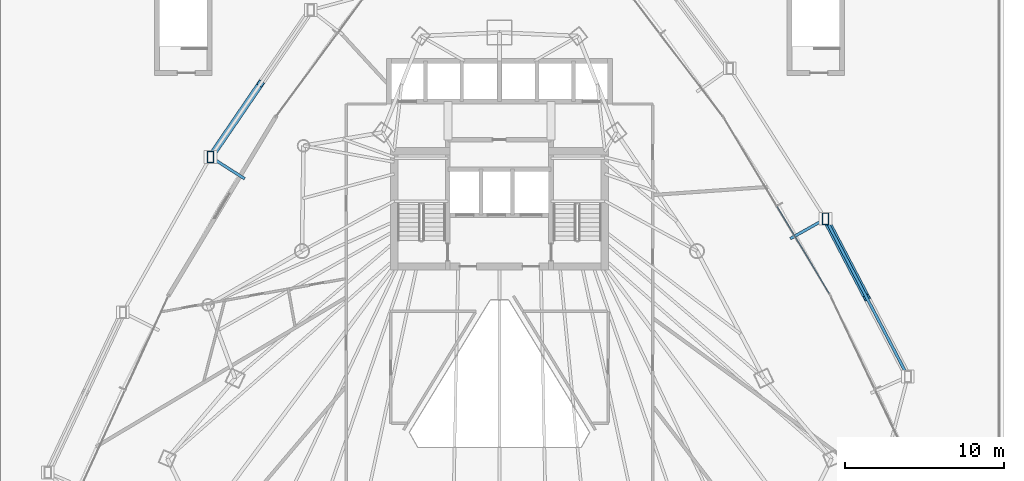
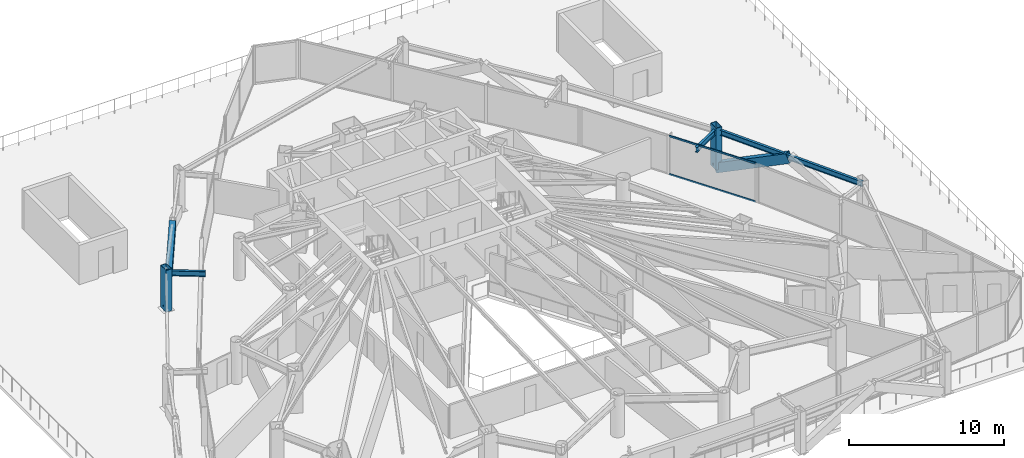
# One storey, part 20 of 36: 6 members, 3 beams, 1 element without a shape of its own.
"""IFC4 building model written with IfcOpenShell, lengths in metres."""

import ifcopenshell
import ifcopenshell.guid

model = None  # the IFC model being written
_history = None  # IfcOwnerHistory: only IFC2X3 demands one
_inside = {}  # id of a spatial element -> (the spatial element, [elements in it])
_under = {}  # id of a project, library or spatial element -> (it, [spatial elements below it])
_declared = {}  # id of a project -> (the project, [libraries it declares])
_typed = {}  # id of a type object -> (the type object, [elements of that type])
_made_of = {}  # id of a material, layer set ... -> (it, [elements and type objects made of it])


def new_model(schema):
    """Start an empty IFC model of exactly this schema.

    Asked for "IFC4X3", IfcOpenShell would pick the latest addendum, in which some entities
    have other attributes; the version numbers below select the first issue.
    IFC2X3 requires an IfcOwnerHistory on every rooted entity: one is made here for all.
    """
    global model, _history
    if schema == "IFC4X3":
        model = ifcopenshell.file(schema_version=(4, 3, 0, 0))
    else:
        model = ifcopenshell.file(schema=schema)
    _inside.clear()
    _under.clear()
    _declared.clear()
    _typed.clear()
    _made_of.clear()
    _history = None
    if model.schema == "IFC2X3":
        org = make("IfcOrganization", Name="unknown")
        user = make(
            "IfcPersonAndOrganization",
            ThePerson=make("IfcPerson", FamilyName="unknown"),
            TheOrganization=org,
        )
        app = make(
            "IfcApplication",
            ApplicationDeveloper=org,
            Version="unknown",
            ApplicationFullName="unknown",
            ApplicationIdentifier="unknown",
        )
        _history = make(
            "IfcOwnerHistory",
            OwningUser=user,
            OwningApplication=app,
            ChangeAction="ADDED",
            CreationDate=0,
        )
    return model


def make(cls, **values):
    """One entity of the class cls with the attributes given. An attribute that is None is left unset."""
    return model.create_entity(
        cls, **{name: value for name, value in values.items() if value is not None}
    )


def rooted(cls, **values):
    """An entity with a GlobalId (a new one), such as an element, a storey or a relation."""
    return make(cls, GlobalId=ifcopenshell.guid.new(), OwnerHistory=_history, **values)


def si_unit(unit_type, name, prefix=None):
    """IfcSIUnit, for example si_unit("LENGTHUNIT", "METRE", prefix="MILLI")."""
    return make("IfcSIUnit", UnitType=unit_type, Prefix=prefix, Name=name)


def assignment(units):
    """IfcUnitAssignment: the units of a project."""
    return None if units is None else make("IfcUnitAssignment", Units=units)


def point(xyz):
    """IfcCartesianPoint."""
    return None if xyz is None else make("IfcCartesianPoint", Coordinates=xyz)


def direction(xyz):
    """IfcDirection."""
    return None if xyz is None else make("IfcDirection", DirectionRatios=xyz)


def frame(location, z_axis=None, x_axis=None):
    """IfcAxis2Placement3D, a coordinate frame: its origin and axes. An axis left out is left unset."""
    return make(
        "IfcAxis2Placement3D",
        Location=point(location),
        Axis=direction(z_axis),
        RefDirection=direction(x_axis),
    )


def frame_2d(location, x_axis=None):
    """IfcAxis2Placement2D, a coordinate frame in the plane: its origin and x axis."""
    return make(
        "IfcAxis2Placement2D", Location=point(location), RefDirection=direction(x_axis)
    )


def origin():
    """The frame at (0, 0, 0) with its axes left unset."""
    return frame((0.0, 0.0, 0.0))


def origin_2d():
    """The frame at (0, 0) in the plane with its x axis left unset."""
    return frame_2d((0.0, 0.0))


def place(relative_to, where):
    """IfcLocalPlacement: puts the frame where relative to a parent placement (None: the world)."""
    return make(
        "IfcLocalPlacement", PlacementRelTo=relative_to, RelativePlacement=where
    )


def context(
    kind, dimensions, precision=None, world=None, true_north=None, identifier=None
):
    """IfcGeometricRepresentationContext, for example the 3D "Model" context."""
    return make(
        "IfcGeometricRepresentationContext",
        ContextIdentifier=identifier,
        ContextType=kind,
        CoordinateSpaceDimension=dimensions,
        Precision=precision,
        WorldCoordinateSystem=world,
        TrueNorth=true_north,
    )


def subcontext(parent, identifier, kind, view, scale=None):
    """IfcGeometricRepresentationSubContext, for example "Body" below "Model"."""
    return make(
        "IfcGeometricRepresentationSubContext",
        ContextIdentifier=identifier,
        ContextType=kind,
        ParentContext=parent,
        TargetScale=scale,
        TargetView=view,
    )


def project(units=None, contexts=None):
    """IfcProject with its units and contexts."""
    return rooted(
        "IfcProject",
        Name="project",
        RepresentationContexts=contexts,
        UnitsInContext=assignment(units),
    )


def spatial(cls, under=None, at=None, **own):
    """A site, building, storey or space (cls), placed at a placement, below another one or the project."""
    s = rooted(cls, ObjectPlacement=at, **own)
    if under is not None:
        _under.setdefault(under.id(), (under, []))[1].append(s)
    return s


def profile(cls, at=None, kind="AREA", **sizes):
    """A parametric profile (cls). Its sizes go by their IFC names, for example OverallWidth=200.0."""
    return make(cls, ProfileType=kind, Position=at, **sizes)


def hollow_rectangle(**sizes):
    """IfcRectangleHollowProfileDef."""
    return profile("IfcRectangleHollowProfileDef", **sizes)


def i_section(**sizes):
    """IfcIShapeProfileDef."""
    return profile("IfcIShapeProfileDef", **sizes)


def extrude(swept, where, along, depth):
    """IfcExtrudedAreaSolid: the profile swept, set in the frame where, extruded along a direction by depth."""
    return make(
        "IfcExtrudedAreaSolid",
        SweptArea=swept,
        Position=where,
        ExtrudedDirection=direction(along),
        Depth=depth,
    )


def shape(context_of_items, identifier, shape_type, items):
    """IfcShapeRepresentation: the items that make up one representation, for example the "Body"."""
    return make(
        "IfcShapeRepresentation",
        ContextOfItems=context_of_items,
        RepresentationIdentifier=identifier,
        RepresentationType=shape_type,
        Items=items,
    )


def material(Name=None, Category=None):
    """IfcMaterial."""
    return make("IfcMaterial", Name=Name, Category=Category)


def layer(
    of_material, thickness, ventilated=None, Name=None, Category=None, Priority=None
):
    """IfcMaterialLayer: one layer of a wall or slab, of a material (None: an air gap)."""
    return make(
        "IfcMaterialLayer",
        Material=of_material,
        LayerThickness=thickness,
        IsVentilated=ventilated,
        Name=Name,
        Category=Category,
        Priority=Priority,
    )


def layer_set(layers, Name=None):
    """IfcMaterialLayerSet."""
    return make("IfcMaterialLayerSet", MaterialLayers=layers, LayerSetName=Name)


def material_profile(
    of_material, cross_section, Name=None, Category=None, Priority=None
):
    """IfcMaterialProfile: a cross section and its material."""
    return make(
        "IfcMaterialProfile",
        Name=Name,
        Material=of_material,
        Profile=cross_section,
        Priority=Priority,
        Category=Category,
    )


def profile_set(profiles, Name=None, composite=None):
    """IfcMaterialProfileSet."""
    return make(
        "IfcMaterialProfileSet",
        Name=Name,
        MaterialProfiles=profiles,
        CompositeProfile=composite,
    )


def made_of(thing, what):
    """Note that an element or type object is made of a material, layer set ...; save() writes the relation."""
    if what is not None:
        _made_of.setdefault(what.id(), (what, []))[1].append(thing)
    return thing


def type_object(cls, material=None, **own):
    """A type object (cls), such as IfcWallType, which elements share."""
    return made_of(rooted(cls, **own), material)


def element(
    cls,
    number,
    at=None,
    inside=None,
    cuts=None,
    type_object=None,
    material=None,
    context=None,
    identifier="Body",
    shape_type=None,
    held_by="IfcProductDefinitionShape",
    body=None,
    shapes=None,
    **own,
):
    """One element of the class cls, such as IfcWall. Its Tag is "e" and its number.

    at: its placement. inside: the storey or other place that contains it. cuts: it is an
    opening in that element (IfcRelVoidsElement). A single representation is given by context,
    identifier, shape_type and body (its items); several are given by shapes. held_by: the class
    of the entity that holds the representations. save() writes the other relations.
    """
    e = rooted(cls, Tag="e%d" % number, ObjectPlacement=at, **own)
    if body is not None:
        shapes = [shape(context, identifier, shape_type, body)]
    if shapes is not None:
        e.Representation = make(held_by, Representations=shapes)
    if inside is not None:
        _inside.setdefault(inside.id(), (inside, []))[1].append(e)
    if cuts is not None:
        rooted(
            "IfcRelVoidsElement", RelatingBuildingElement=cuts, RelatedOpeningElement=e
        )
    if type_object is not None:
        _typed.setdefault(type_object.id(), (type_object, []))[1].append(e)
    return made_of(e, material)


def aggregate(whole, parts):
    """IfcRelAggregates: a whole, such as a stair, and the parts it consists of."""
    return rooted("IfcRelAggregates", RelatingObject=whole, RelatedObjects=parts)


def save(model, path):
    """Write the relations noted so far, then the file.

    IfcRelAggregates (storeys below a building ...), IfcRelContainedInSpatialStructure (elements
    in a storey), IfcRelDefinesByType, IfcRelAssociatesMaterial and IfcRelDeclares: one each for
    every whole, place, type object, material and project.
    """
    for whole, parts in _under.values():
        aggregate(whole, parts)
    for where, things in _inside.values():
        rooted(
            "IfcRelContainedInSpatialStructure",
            RelatedElements=things,
            RelatingStructure=where,
        )
    for kind, things in _typed.values():
        rooted("IfcRelDefinesByType", RelatedObjects=things, RelatingType=kind)
    for what, things in _made_of.values():
        rooted("IfcRelAssociatesMaterial", RelatedObjects=things, RelatingMaterial=what)
    for by, libraries in _declared.values():
        rooted("IfcRelDeclares", RelatingContext=by, RelatedDefinitions=libraries)
    model.write(path)


model = new_model("IFC4")

# Units and contexts
model_context = context("Model", 3, precision=1e-05, world=origin(), true_north=direction((0.0, 1.0)))
body_context = subcontext(model_context, "Body", "Model", "MODEL_VIEW")
ifc_project = project(units=[si_unit("LENGTHUNIT", "METRE"), si_unit("AREAUNIT", "SQUARE_METRE"), si_unit("VOLUMEUNIT", "CUBIC_METRE"), si_unit("PLANEANGLEUNIT", "RADIAN"), si_unit("MASSUNIT", "GRAM", prefix="KILO")], contexts=[model_context])

# Site, building, storey
site_placement = place(None, origin())
site = spatial("IfcSite", under=ifc_project, at=site_placement, CompositionType="ELEMENT")
building_placement = place(site_placement, origin())
building = spatial("IfcBuilding", under=site, at=building_placement, Name="Orvanel Arch Residences", CompositionType="ELEMENT")
storey_placement = place(building_placement, frame((0.0, 0.0, 23.60009765625)))
storey = spatial("IfcBuildingStorey", under=building, at=storey_placement, Name="L05", CompositionType="ELEMENT", Elevation=23.60009765625)

# Members
ifc_material_1 = material(Name="Structural steel AS/NZS 3678 Grade 350", Category="steel")
ifc_material_profile_1 = material_profile(ifc_material_1, hollow_rectangle(XDim=0.419921875, YDim=0.719970703125, WallThickness=0.02490234375, at=origin_2d()), Name="RHS720x420x25")
ifc_profile_set_1 = profile_set([ifc_material_profile_1], Name="Structural steel AS/NZS 3678 Grade 350")
member_type_1 = type_object("IfcMemberType", Name="BR-720RHS-EXT", PredefinedType="BRACE", material=ifc_profile_set_1)
member_1_placement = place(storey_placement, frame((14.81494140625, 33.56494140625, 0.0), z_axis=(0.502245852867, 0.735554922757, 0.454651579659), x_axis=(-0.825845078802, 0.563897070234, 0.0)))
element("IfcMember", 1, at=member_1_placement, inside=storey, type_object=member_type_1, Name="L05 Exterior Sky-Garden V-Frame Chevron F1B1.2", PredefinedType="BRACE", context=body_context, shape_type="SweptSolid", body=[
    extrude(hollow_rectangle(XDim=0.419921875, YDim=0.719970703125, WallThickness=0.02490234375, at=origin_2d()), origin(), (0.0, 0.0, 1.0), 6.28369140625),
])
member_2_placement = place(storey_placement, frame((53.51904296875, 29.675048828125, 0.0), z_axis=(0.412517640017, -0.789366899745, 0.454674712582), x_axis=(0.886274284259, 0.463160763732, 0.0)))
element("IfcMember", 2, at=member_2_placement, inside=storey, type_object=member_type_1, Name="L05 Exterior Sky-Garden V-Frame Chevron F3B1.2", PredefinedType="BRACE", context=body_context, shape_type="SweptSolid", body=[
    extrude(hollow_rectangle(XDim=0.419921875, YDim=0.719970703125, WallThickness=0.02490234375, at=origin_2d()), origin(), (0.0, 0.0, 1.0), 6.283447265625),
])
ifc_material_profile_2 = material_profile(ifc_material_1, hollow_rectangle(XDim=0.419921875, YDim=0.719970703125, WallThickness=0.02490234375, at=origin_2d()), Name="RHS720x420x25")
ifc_profile_set_2 = profile_set([ifc_material_profile_2], Name="Structural steel AS/NZS 3678 Grade 350")
member_type_2 = type_object("IfcMemberType", Name="CH-720RHS-EXT", PredefinedType="CHORD", material=ifc_profile_set_2)
for number, where, z_axis, x_axis, name in (
    (3, (14.81494140625, 33.56494140625, 0.0), (0.0, 0.0, 1.0), (1.0, 0.0, 0.0), "L05 Outer Perimeter Frame Post 02"),
    (4, (53.51904296875, 29.675048828125, 0.0), (0.0, 0.0, 1.0), (1.0, 0.0, 0.0), "L05 Outer Perimeter Frame Post 10"),
):
    element("IfcMember", number, at=place(storey_placement, frame(where, z_axis=z_axis, x_axis=x_axis)), inside=storey, type_object=member_type_2, Name=name, PredefinedType="CHORD", context=body_context, shape_type="SweptSolid", body=[
        extrude(hollow_rectangle(XDim=0.419921875, YDim=0.719970703125, WallThickness=0.02490234375, at=origin_2d()), origin(), (0.0, 0.0, 1.0), 3.2998046875),
    ])

# Beams
ifc_material_2 = material(Name="Structural steel AS/NZS 3679.1 Grade 300 (300 MPa)", Category="steel")
ifc_material_profile_3 = material_profile(ifc_material_2, i_section(OverallWidth=0.177978515625, OverallDepth=0.406005859375, WebThickness=0.0078125, FlangeThickness=0.0126953125, at=origin_2d()), Name="410UB59.7")
ifc_profile_set_3 = profile_set([ifc_material_profile_3], Name="Structural steel AS/NZS 3679.1 Grade 300 (300 MPa)")
beam_type = type_object("IfcBeamType", Name="OB-410UB-EXT", PredefinedType="SPANDREL", material=ifc_profile_set_3)
beam_1_placement = place(storey_placement, frame((16.965087890625, 32.194091796875, 2.85693359375), z_axis=(-0.843203870608, 0.537593929087, 0.0), x_axis=(-0.537593929087, -0.843203870608, 0.0)))
element("IfcBeam", 5, at=beam_1_placement, inside=storey, type_object=beam_type, Name="L05 Outer Frame Radial Tie Beam 02", PredefinedType="SPANDREL", context=body_context, shape_type="SweptSolid", body=[
    extrude(i_section(OverallWidth=0.177978515625, OverallDepth=0.406005859375, WebThickness=0.0078125, FlangeThickness=0.0126953125, at=origin_2d()), origin(), (0.0, 0.0, 1.0), 2.550048828125),
])
beam_2_placement = place(storey_placement, frame((58.701904296875, 19.75390625, 2.85693359375), z_axis=(-0.463030330955, 0.886342435301, 0.0), x_axis=(-0.886342435301, -0.463030330955, 0.0)))
element("IfcBeam", 6, at=beam_2_placement, inside=storey, type_object=beam_type, Name="L05 Outer Perimeter Floor Ring Beam 09", PredefinedType="SPANDREL", context=body_context, shape_type="SweptSolid", body=[
    extrude(i_section(OverallWidth=0.177978515625, OverallDepth=0.406005859375, WebThickness=0.0078125, FlangeThickness=0.0126953125, at=origin_2d()), origin(), (0.0, 0.0, 1.0), 11.193359375),
])
beam_3_placement = place(storey_placement, frame((51.297119140625, 28.424072265625, 2.85693359375), z_axis=(0.871383694473, 0.490602137181, 0.0), x_axis=(-0.490602137181, 0.871383694473, 0.0)))
element("IfcBeam", 7, at=beam_3_placement, inside=storey, type_object=beam_type, Name="L05 Outer Frame Radial Tie Beam 10", PredefinedType="SPANDREL", context=body_context, shape_type="SweptSolid", body=[
    extrude(i_section(OverallWidth=0.177978515625, OverallDepth=0.406005859375, WebThickness=0.0078125, FlangeThickness=0.0126953125, at=origin_2d()), origin(), (0.0, 0.0, 1.0), 2.5498046875),
])

# Curtain wall, members
ifc_material_3 = material(Name="Bronze-anodised aluminium AA6063-T6", Category="aluminium")
ifc_layer = layer(ifc_material_3, 0.179931640625)
ifc_layer_set = layer_set([ifc_layer], Name="Bronze-anodised aluminium AA6063-T6")
curtain_wall_type = type_object("IfcCurtainWallType", Name="CW2-LOW-SYS", PredefinedType="NOTDEFINED", material=ifc_layer_set)
curtain_wall_placement = place(storey_placement, origin())
curtain_wall = element("IfcCurtainWall", 8, at=curtain_wall_placement, inside=storey, type_object=curtain_wall_type, Name="L05 CW2-LOW-SYS Unitised Curtain Wall", PredefinedType="NOTDEFINED")
ifc_material_profile_4 = material_profile(ifc_material_3, hollow_rectangle(XDim=0.06005859375, YDim=0.135009765625, WallThickness=0.00390625, at=origin_2d()), Name="ALU135x60x4")
ifc_profile_set_4 = profile_set([ifc_material_profile_4], Name="Bronze-anodised aluminium AA6063-T6")
member_type_3 = type_object("IfcMemberType", Name="TRN-135x60", PredefinedType="USERDEFINED", material=ifc_profile_set_4)
member_3_placement = place(storey_placement, frame((53.760986328125, 24.9599609375, 0.02978515625), z_axis=(-0.514411623983, 0.857543398967, 0.0), x_axis=(-0.857543398967, -0.514411623983, 0.0)))
member_3 = element("IfcMember", 9, at=member_3_placement, type_object=member_type_3, Name="CW-S2 transom 1.1", ObjectType="TRANSOM", PredefinedType="USERDEFINED", context=body_context, shape_type="SweptSolid", body=[
    extrude(hollow_rectangle(XDim=0.06005859375, YDim=0.135009765625, WallThickness=0.00390625, at=origin_2d()), origin(), (0.0, 0.0, 1.0), 6.4013671875),
])
member_4_placement = place(storey_placement, frame((53.760986328125, 24.9599609375, 3.02978515625), z_axis=(-0.514411623983, 0.857543398967, 0.0), x_axis=(-0.857543398967, -0.514411623983, 0.0)))
member_4 = element("IfcMember", 10, at=member_4_placement, type_object=member_type_3, Name="CW-S2 transom 1.2", ObjectType="TRANSOM", PredefinedType="USERDEFINED", context=body_context, shape_type="SweptSolid", body=[
    extrude(hollow_rectangle(XDim=0.06005859375, YDim=0.135009765625, WallThickness=0.00390625, at=origin_2d()), origin(), (0.0, 0.0, 1.0), 6.4013671875),
])
aggregate(curtain_wall, [member_3, member_4])

save(model, "model.ifc")
